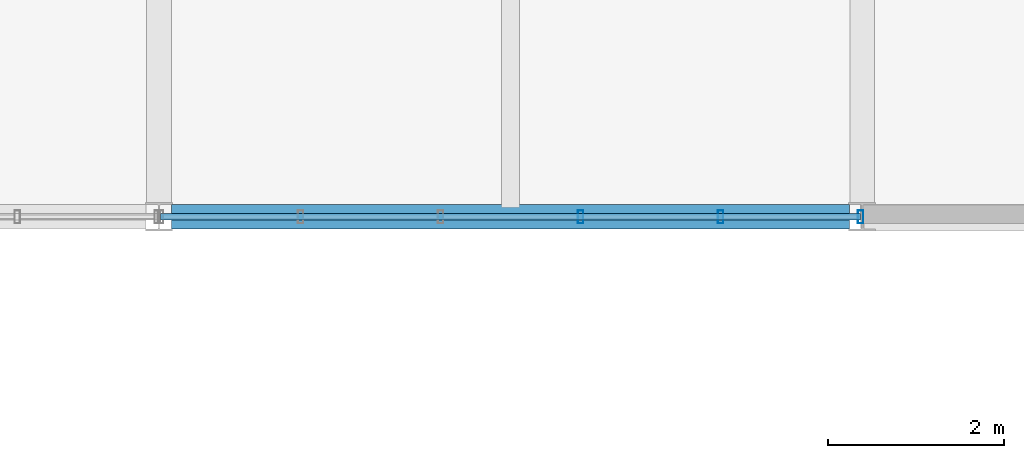
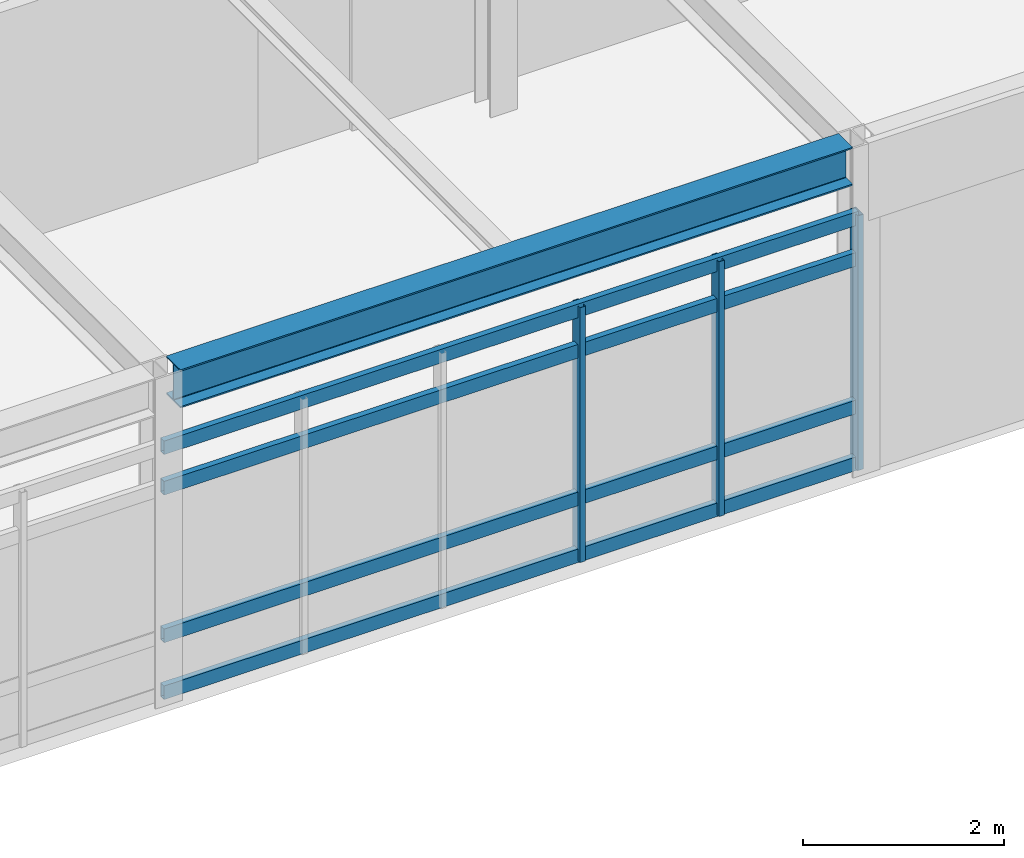
# One storey, part 44 of 85: 7 members, 1 beam, 1 element without a shape of its own.
"""IFC4 building model written with IfcOpenShell, lengths in metres."""

import ifcopenshell
import ifcopenshell.guid

model = None  # the IFC model being written
_history = None  # IfcOwnerHistory: only IFC2X3 demands one
_inside = {}  # id of a spatial element -> (the spatial element, [elements in it])
_under = {}  # id of a project, library or spatial element -> (it, [spatial elements below it])
_declared = {}  # id of a project -> (the project, [libraries it declares])
_typed = {}  # id of a type object -> (the type object, [elements of that type])
_made_of = {}  # id of a material, layer set ... -> (it, [elements and type objects made of it])


def new_model(schema):
    """Start an empty IFC model of exactly this schema.

    Asked for "IFC4X3", IfcOpenShell would pick the latest addendum, in which some entities
    have other attributes; the version numbers below select the first issue.
    IFC2X3 requires an IfcOwnerHistory on every rooted entity: one is made here for all.
    """
    global model, _history
    if schema == "IFC4X3":
        model = ifcopenshell.file(schema_version=(4, 3, 0, 0))
    else:
        model = ifcopenshell.file(schema=schema)
    _inside.clear()
    _under.clear()
    _declared.clear()
    _typed.clear()
    _made_of.clear()
    _history = None
    if model.schema == "IFC2X3":
        org = make("IfcOrganization", Name="unknown")
        user = make(
            "IfcPersonAndOrganization",
            ThePerson=make("IfcPerson", FamilyName="unknown"),
            TheOrganization=org,
        )
        app = make(
            "IfcApplication",
            ApplicationDeveloper=org,
            Version="unknown",
            ApplicationFullName="unknown",
            ApplicationIdentifier="unknown",
        )
        _history = make(
            "IfcOwnerHistory",
            OwningUser=user,
            OwningApplication=app,
            ChangeAction="ADDED",
            CreationDate=0,
        )
    return model


def make(cls, **values):
    """One entity of the class cls with the attributes given. An attribute that is None is left unset."""
    return model.create_entity(
        cls, **{name: value for name, value in values.items() if value is not None}
    )


def rooted(cls, **values):
    """An entity with a GlobalId (a new one), such as an element, a storey or a relation."""
    return make(cls, GlobalId=ifcopenshell.guid.new(), OwnerHistory=_history, **values)


def si_unit(unit_type, name, prefix=None):
    """IfcSIUnit, for example si_unit("LENGTHUNIT", "METRE", prefix="MILLI")."""
    return make("IfcSIUnit", UnitType=unit_type, Prefix=prefix, Name=name)


def assignment(units):
    """IfcUnitAssignment: the units of a project."""
    return None if units is None else make("IfcUnitAssignment", Units=units)


def point(xyz):
    """IfcCartesianPoint."""
    return None if xyz is None else make("IfcCartesianPoint", Coordinates=xyz)


def direction(xyz):
    """IfcDirection."""
    return None if xyz is None else make("IfcDirection", DirectionRatios=xyz)


def frame(location, z_axis=None, x_axis=None):
    """IfcAxis2Placement3D, a coordinate frame: its origin and axes. An axis left out is left unset."""
    return make(
        "IfcAxis2Placement3D",
        Location=point(location),
        Axis=direction(z_axis),
        RefDirection=direction(x_axis),
    )


def frame_2d(location, x_axis=None):
    """IfcAxis2Placement2D, a coordinate frame in the plane: its origin and x axis."""
    return make(
        "IfcAxis2Placement2D", Location=point(location), RefDirection=direction(x_axis)
    )


def origin():
    """The frame at (0, 0, 0) with its axes left unset."""
    return frame((0.0, 0.0, 0.0))


def origin_2d():
    """The frame at (0, 0) in the plane with its x axis left unset."""
    return frame_2d((0.0, 0.0))


def place(relative_to, where):
    """IfcLocalPlacement: puts the frame where relative to a parent placement (None: the world)."""
    return make(
        "IfcLocalPlacement", PlacementRelTo=relative_to, RelativePlacement=where
    )


def context(
    kind, dimensions, precision=None, world=None, true_north=None, identifier=None
):
    """IfcGeometricRepresentationContext, for example the 3D "Model" context."""
    return make(
        "IfcGeometricRepresentationContext",
        ContextIdentifier=identifier,
        ContextType=kind,
        CoordinateSpaceDimension=dimensions,
        Precision=precision,
        WorldCoordinateSystem=world,
        TrueNorth=true_north,
    )


def subcontext(parent, identifier, kind, view, scale=None):
    """IfcGeometricRepresentationSubContext, for example "Body" below "Model"."""
    return make(
        "IfcGeometricRepresentationSubContext",
        ContextIdentifier=identifier,
        ContextType=kind,
        ParentContext=parent,
        TargetScale=scale,
        TargetView=view,
    )


def project(units=None, contexts=None):
    """IfcProject with its units and contexts."""
    return rooted(
        "IfcProject",
        Name="project",
        RepresentationContexts=contexts,
        UnitsInContext=assignment(units),
    )


def spatial(cls, under=None, at=None, **own):
    """A site, building, storey or space (cls), placed at a placement, below another one or the project."""
    s = rooted(cls, ObjectPlacement=at, **own)
    if under is not None:
        _under.setdefault(under.id(), (under, []))[1].append(s)
    return s


def profile(cls, at=None, kind="AREA", **sizes):
    """A parametric profile (cls). Its sizes go by their IFC names, for example OverallWidth=200.0."""
    return make(cls, ProfileType=kind, Position=at, **sizes)


def hollow_rectangle(**sizes):
    """IfcRectangleHollowProfileDef."""
    return profile("IfcRectangleHollowProfileDef", **sizes)


def i_section(**sizes):
    """IfcIShapeProfileDef."""
    return profile("IfcIShapeProfileDef", **sizes)


def extrude(swept, where, along, depth):
    """IfcExtrudedAreaSolid: the profile swept, set in the frame where, extruded along a direction by depth."""
    return make(
        "IfcExtrudedAreaSolid",
        SweptArea=swept,
        Position=where,
        ExtrudedDirection=direction(along),
        Depth=depth,
    )


def shape(context_of_items, identifier, shape_type, items):
    """IfcShapeRepresentation: the items that make up one representation, for example the "Body"."""
    return make(
        "IfcShapeRepresentation",
        ContextOfItems=context_of_items,
        RepresentationIdentifier=identifier,
        RepresentationType=shape_type,
        Items=items,
    )


def material(Name=None, Category=None):
    """IfcMaterial."""
    return make("IfcMaterial", Name=Name, Category=Category)


def material_profile(
    of_material, cross_section, Name=None, Category=None, Priority=None
):
    """IfcMaterialProfile: a cross section and its material."""
    return make(
        "IfcMaterialProfile",
        Name=Name,
        Material=of_material,
        Profile=cross_section,
        Priority=Priority,
        Category=Category,
    )


def profile_set(profiles, Name=None, composite=None):
    """IfcMaterialProfileSet."""
    return make(
        "IfcMaterialProfileSet",
        Name=Name,
        MaterialProfiles=profiles,
        CompositeProfile=composite,
    )


def made_of(thing, what):
    """Note that an element or type object is made of a material, layer set ...; save() writes the relation."""
    if what is not None:
        _made_of.setdefault(what.id(), (what, []))[1].append(thing)
    return thing


def type_object(cls, material=None, **own):
    """A type object (cls), such as IfcWallType, which elements share."""
    return made_of(rooted(cls, **own), material)


def element(
    cls,
    number,
    at=None,
    inside=None,
    cuts=None,
    type_object=None,
    material=None,
    context=None,
    identifier="Body",
    shape_type=None,
    held_by="IfcProductDefinitionShape",
    body=None,
    shapes=None,
    **own,
):
    """One element of the class cls, such as IfcWall. Its Tag is "e" and its number.

    at: its placement. inside: the storey or other place that contains it. cuts: it is an
    opening in that element (IfcRelVoidsElement). A single representation is given by context,
    identifier, shape_type and body (its items); several are given by shapes. held_by: the class
    of the entity that holds the representations. save() writes the other relations.
    """
    e = rooted(cls, Tag="e%d" % number, ObjectPlacement=at, **own)
    if body is not None:
        shapes = [shape(context, identifier, shape_type, body)]
    if shapes is not None:
        e.Representation = make(held_by, Representations=shapes)
    if inside is not None:
        _inside.setdefault(inside.id(), (inside, []))[1].append(e)
    if cuts is not None:
        rooted(
            "IfcRelVoidsElement", RelatingBuildingElement=cuts, RelatedOpeningElement=e
        )
    if type_object is not None:
        _typed.setdefault(type_object.id(), (type_object, []))[1].append(e)
    return made_of(e, material)


def aggregate(whole, parts):
    """IfcRelAggregates: a whole, such as a stair, and the parts it consists of."""
    return rooted("IfcRelAggregates", RelatingObject=whole, RelatedObjects=parts)


def save(model, path):
    """Write the relations noted so far, then the file.

    IfcRelAggregates (storeys below a building ...), IfcRelContainedInSpatialStructure (elements
    in a storey), IfcRelDefinesByType, IfcRelAssociatesMaterial and IfcRelDeclares: one each for
    every whole, place, type object, material and project.
    """
    for whole, parts in _under.values():
        aggregate(whole, parts)
    for where, things in _inside.values():
        rooted(
            "IfcRelContainedInSpatialStructure",
            RelatedElements=things,
            RelatingStructure=where,
        )
    for kind, things in _typed.values():
        rooted("IfcRelDefinesByType", RelatedObjects=things, RelatingType=kind)
    for what, things in _made_of.values():
        rooted("IfcRelAssociatesMaterial", RelatedObjects=things, RelatingMaterial=what)
    for by, libraries in _declared.values():
        rooted("IfcRelDeclares", RelatingContext=by, RelatedDefinitions=libraries)
    model.write(path)


model = new_model("IFC4")

# Units and contexts
model_context = context("Model", 3, precision=1e-05, world=origin(), true_north=direction((0.0, 1.0)))
body_context = subcontext(model_context, "Body", "Model", "MODEL_VIEW")
ifc_project = project(units=[si_unit("LENGTHUNIT", "METRE"), si_unit("AREAUNIT", "SQUARE_METRE"), si_unit("VOLUMEUNIT", "CUBIC_METRE"), si_unit("PLANEANGLEUNIT", "RADIAN"), si_unit("MASSUNIT", "GRAM", prefix="KILO")], contexts=[model_context])

# Site, building, storey
site_placement = place(None, origin())
site = spatial("IfcSite", under=ifc_project, at=site_placement, CompositionType="ELEMENT")
building_placement = place(site_placement, origin())
building = spatial("IfcBuilding", under=site, at=building_placement, Name="Zulena Civic Courthouse", CompositionType="ELEMENT")
storey_placement = place(building_placement, frame((0.0, 0.0, 25.199951171875)))
storey = spatial("IfcBuildingStorey", under=building, at=storey_placement, Name="L05", CompositionType="ELEMENT", Elevation=25.199951171875)

# Curtain wall, members
ifc_material_1 = material(Name="Double-silver low-E laminated solar-control glass", Category="glass")
curtain_wall_type = type_object("IfcCurtainWallType", Name="CW_7964x3090", PredefinedType="USERDEFINED", material=ifc_material_1)
curtain_wall_placement = place(storey_placement, origin())
curtain_wall = element("IfcCurtainWall", 1, at=curtain_wall_placement, inside=storey, type_object=curtain_wall_type, Name="cw:V5:L05:5:2", ObjectType="UNITISED CURTAIN WALL", PredefinedType="USERDEFINED")
ifc_material_2 = material(Name="Bronze anodised thermally broken aluminium AA6063-T6", Category="aluminium")
ifc_material_profile_1 = material_profile(ifc_material_2, hollow_rectangle(XDim=0.06494140625, YDim=0.14990234375, WallThickness=0.00390625, at=origin_2d()), Name="CWM150X65X4")
ifc_profile_set_1 = profile_set([ifc_material_profile_1], Name="Bronze anodised thermally broken aluminium AA6063-T6")
member_type_1 = type_object("IfcMemberType", Name="CWMullion_150x65", PredefinedType="MULLION", material=ifc_profile_set_1)
member_1_placement = place(storey_placement, frame((83.98193359375, 46.0, 0.0), z_axis=(0.0, 0.0, 1.0), x_axis=(1.0, 0.0, 0.0)))
member_1 = element("IfcMember", 2, at=member_1_placement, type_object=member_type_1, Name="cw:V5:L05:5:2:mull:0", PredefinedType="MULLION", context=body_context, shape_type="SweptSolid", body=[
    extrude(hollow_rectangle(XDim=0.06494140625, YDim=0.14990234375, WallThickness=0.00390625, at=origin_2d()), origin(), (0.0, 0.0, 1.0), 3.090087890625),
])
member_2_placement = place(storey_placement, frame((82.38916015625, 46.0, 0.0), z_axis=(0.0, 0.0, 1.0), x_axis=(1.0, 0.0, 0.0)))
member_2 = element("IfcMember", 3, at=member_2_placement, type_object=member_type_1, Name="cw:V5:L05:5:2:mull:1", PredefinedType="MULLION", context=body_context, shape_type="SweptSolid", body=[
    extrude(hollow_rectangle(XDim=0.06494140625, YDim=0.14990234375, WallThickness=0.00390625, at=origin_2d()), origin(), (0.0, 0.0, 1.0), 3.090087890625),
])
member_3_placement = place(storey_placement, frame((80.79638671875, 46.0, 0.0), z_axis=(0.0, 0.0, 1.0), x_axis=(1.0, 0.0, 0.0)))
member_3 = element("IfcMember", 4, at=member_3_placement, type_object=member_type_1, Name="cw:V5:L05:5:2:mull:2", PredefinedType="MULLION", context=body_context, shape_type="SweptSolid", body=[
    extrude(hollow_rectangle(XDim=0.06494140625, YDim=0.14990234375, WallThickness=0.00390625, at=origin_2d()), origin(), (0.0, 0.0, 1.0), 3.090087890625),
])
ifc_material_profile_2 = material_profile(ifc_material_2, hollow_rectangle(XDim=0.070068359375, YDim=0.1650390625, WallThickness=0.00390625, at=origin_2d()), Name="CWT165X70X4")
ifc_profile_set_2 = profile_set([ifc_material_profile_2], Name="Bronze anodised thermally broken aluminium AA6063-T6")
member_type_2 = type_object("IfcMemberType", Name="CWTransom_165x70", PredefinedType="USERDEFINED", material=ifc_profile_set_2)
member_4_placement = place(storey_placement, frame((83.98193359375, 46.0, 0.06005859375), z_axis=(-1.0, 0.0, 0.0), x_axis=(0.0, -1.0, 0.0)))
member_4 = element("IfcMember", 5, at=member_4_placement, type_object=member_type_2, Name="cw:V5:L05:5:2:tran:0", ObjectType="TRANSOM", PredefinedType="USERDEFINED", context=body_context, shape_type="SweptSolid", body=[
    extrude(hollow_rectangle(XDim=0.070068359375, YDim=0.1650390625, WallThickness=0.00390625, at=origin_2d()), origin(), (0.0, 0.0, 1.0), 7.9638671875),
])
member_5_placement = place(storey_placement, frame((83.98193359375, 46.0, 0.75), z_axis=(-1.0, 0.0, 0.0), x_axis=(0.0, -1.0, 0.0)))
member_5 = element("IfcMember", 6, at=member_5_placement, type_object=member_type_2, Name="cw:V5:L05:5:2:tran:1", ObjectType="TRANSOM", PredefinedType="USERDEFINED", context=body_context, shape_type="SweptSolid", body=[
    extrude(hollow_rectangle(XDim=0.070068359375, YDim=0.1650390625, WallThickness=0.00390625, at=origin_2d()), origin(), (0.0, 0.0, 1.0), 7.9638671875),
])
member_6_placement = place(storey_placement, frame((83.98193359375, 46.0, 2.5400390625), z_axis=(-1.0, 0.0, 0.0), x_axis=(0.0, -1.0, 0.0)))
member_6 = element("IfcMember", 7, at=member_6_placement, type_object=member_type_2, Name="cw:V5:L05:5:2:tran:2", ObjectType="TRANSOM", PredefinedType="USERDEFINED", context=body_context, shape_type="SweptSolid", body=[
    extrude(hollow_rectangle(XDim=0.070068359375, YDim=0.1650390625, WallThickness=0.00390625, at=origin_2d()), origin(), (0.0, 0.0, 1.0), 7.9638671875),
])
member_7_placement = place(storey_placement, frame((83.98193359375, 46.0, 3.030029296875), z_axis=(-1.0, 0.0, 0.0), x_axis=(0.0, -1.0, 0.0)))
member_7 = element("IfcMember", 8, at=member_7_placement, type_object=member_type_2, Name="cw:V5:L05:5:2:tran:3", ObjectType="TRANSOM", PredefinedType="USERDEFINED", context=body_context, shape_type="SweptSolid", body=[
    extrude(hollow_rectangle(XDim=0.070068359375, YDim=0.1650390625, WallThickness=0.00390625, at=origin_2d()), origin(), (0.0, 0.0, 1.0), 7.9638671875),
])
aggregate(curtain_wall, [member_1, member_2, member_3, member_4, member_5, member_6, member_7])

# Beam
ifc_material_3 = material(Name="Steel ASTM A992 Grade 50", Category="steel")
ifc_material_profile_3 = material_profile(ifc_material_3, i_section(OverallWidth=0.280029296875, OverallDepth=0.462890625, WebThickness=0.0107421875, FlangeThickness=0.017333984375, FilletRadius=0.01025390625, at=origin_2d()), Name="W18X76")
ifc_profile_set_3 = profile_set([ifc_material_profile_3], Name="Steel ASTM A992 Grade 50")
beam_type = type_object("IfcBeamType", Name="Spandrel_W18X76", PredefinedType="SPANDREL", material=ifc_profile_set_3)
beam_placement = place(storey_placement, frame((76.14501953125, 46.0, 3.763427734375), z_axis=(1.0, 0.0, 0.0), x_axis=(0.0, 1.0, 0.0)))
element("IfcBeam", 9, at=beam_placement, inside=storey, type_object=beam_type, Name="beam:X:V5:L05:46.0:76.0_84.0", PredefinedType="SPANDREL", context=body_context, shape_type="SweptSolid", body=[
    extrude(i_section(OverallWidth=0.280029296875, OverallDepth=0.462890625, WebThickness=0.0107421875, FlangeThickness=0.017333984375, FilletRadius=0.01025390625, at=origin_2d()), origin(), (0.0, 0.0, 1.0), 7.7099609375),
])

save(model, "model.ifc")
